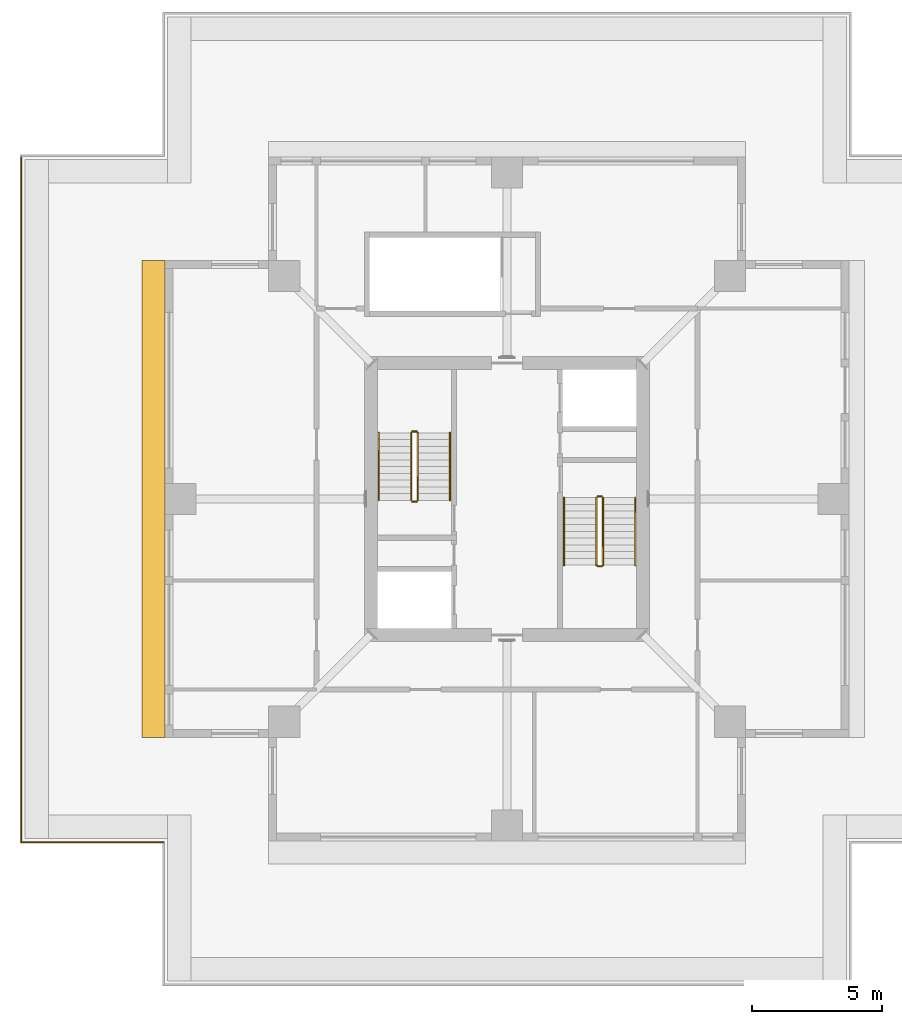
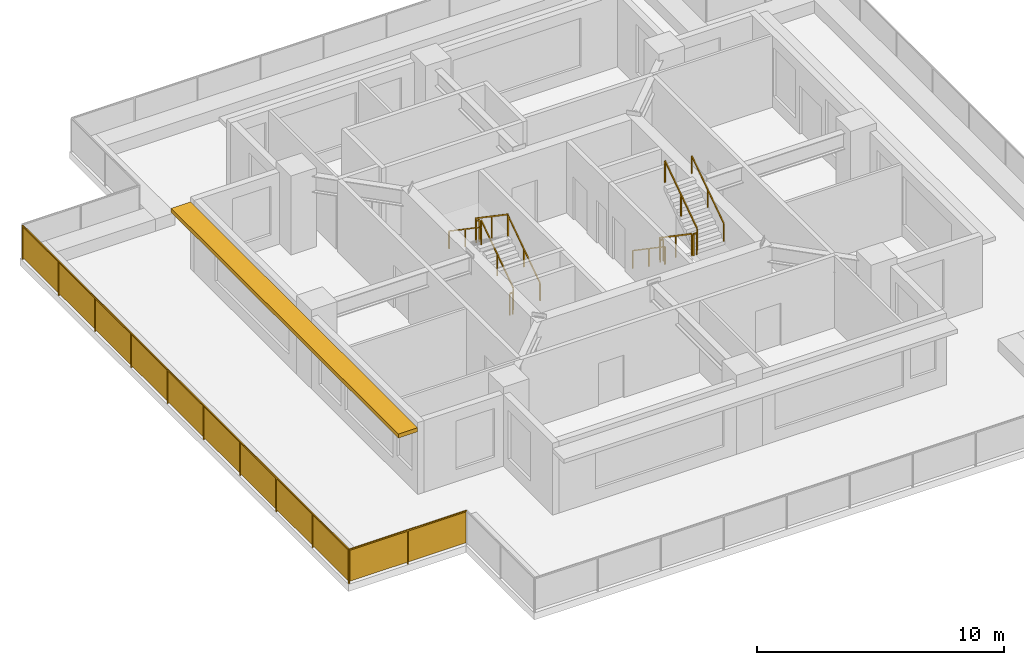
# One storey, part 7 of 8: 13 railings, 1 shading device.
"""IFC4 building model written with IfcOpenShell, lengths in metres."""

from ifc_helpers import new_model, si_unit, direction, frame, origin, origin_2d, place, context, subcontext, project, spatial, polyline, rectangle, outline, extrude, material, layer, layer_set, type_object, element, save


model = new_model("IFC4")

# Units and contexts
model_context = context("Model", 3, precision=1e-05, world=origin(), true_north=direction((0.0, 1.0)))
body_context = subcontext(model_context, "Body", "Model", "MODEL_VIEW")
ifc_project = project(units=[si_unit("LENGTHUNIT", "METRE"), si_unit("AREAUNIT", "SQUARE_METRE"), si_unit("VOLUMEUNIT", "CUBIC_METRE"), si_unit("PLANEANGLEUNIT", "RADIAN"), si_unit("MASSUNIT", "GRAM", prefix="KILO")], contexts=[model_context])

# Site, building, storey
site_placement = place(None, origin())
site = spatial("IfcSite", under=ifc_project, at=site_placement, CompositionType="ELEMENT")
building_placement = place(site_placement, origin())
building = spatial("IfcBuilding", under=site, at=building_placement, Name="Khepri Terraces", CompositionType="ELEMENT")
storey_placement = place(building_placement, frame((0.0, 0.0, 312.300048828125)))
storey = spatial("IfcBuildingStorey", under=building, at=storey_placement, Name="L75", CompositionType="ELEMENT", Elevation=312.300048828125)

# Railings
ifc_material_1 = material(Name="Stainless steel grade 316", Category="steel")
railing_type_1 = type_object("IfcRailingType", Name="GRD-TERR-1700", PredefinedType="GUARDRAIL", material=ifc_material_1)
railing_1_placement = place(storey_placement, frame((-13.25, -13.25, 0.0)))
element("IfcRailing", 1, at=railing_1_placement, inside=storey, type_object=railing_type_1, Name="Terrace guard L75", PredefinedType="GUARDRAIL", context=body_context, shape_type="SweptSolid", body=[
    extrude(rectangle(XDim=0.050048828125, YDim=0.06005859375, at=origin_2d()), frame((0.0, 0.0, 1.669921875), z_axis=(-1.0, 0.0, 0.0), x_axis=(0.0, -1.0, 0.0)), (0.0, 0.0, 1.0), 5.5),
    extrude(rectangle(XDim=2.699951171875, YDim=0.011962890625, at=origin_2d()), frame((-1.375, 0.0, 0.10009765625), z_axis=(0.0, 0.0, 1.0), x_axis=(-1.0, 0.0, 0.0)), (0.0, 0.0, 1.0), 1.539794921875),
    extrude(rectangle(XDim=2.699951171875, YDim=0.011962890625, at=origin_2d()), frame((-4.125, 0.0, 0.10009765625), z_axis=(0.0, 0.0, 1.0), x_axis=(-1.0, 0.0, 0.0)), (0.0, 0.0, 1.0), 1.539794921875),
    extrude(rectangle(XDim=0.050048828125, YDim=0.06005859375, at=origin_2d()), frame((-5.5, 0.0, 1.669921875), z_axis=(0.0, 1.0, 0.0), x_axis=(-1.0, 0.0, 0.0)), (0.0, 0.0, 1.0), 26.419921875),
    extrude(rectangle(XDim=2.885498046875, YDim=0.011962890625, at=origin_2d()), frame((-5.5, 1.4677734375, 0.10009765625), z_axis=(0.0, 0.0, 1.0), x_axis=(0.0, 1.0, 0.0)), (0.0, 0.0, 1.0), 1.539794921875),
    extrude(rectangle(XDim=2.885498046875, YDim=0.011962890625, at=origin_2d()), frame((-5.5, 4.4033203125, 0.10009765625), z_axis=(0.0, 0.0, 1.0), x_axis=(0.0, 1.0, 0.0)), (0.0, 0.0, 1.0), 1.539794921875),
    extrude(rectangle(XDim=2.885498046875, YDim=0.011962890625, at=origin_2d()), frame((-5.5, 7.3388671875, 0.10009765625), z_axis=(0.0, 0.0, 1.0), x_axis=(0.0, 1.0, 0.0)), (0.0, 0.0, 1.0), 1.539794921875),
    extrude(rectangle(XDim=2.885498046875, YDim=0.011962890625, at=origin_2d()), frame((-5.5, 10.2744140625, 0.10009765625), z_axis=(0.0, 0.0, 1.0), x_axis=(0.0, 1.0, 0.0)), (0.0, 0.0, 1.0), 1.539794921875),
    extrude(rectangle(XDim=2.885498046875, YDim=0.011962890625, at=origin_2d()), frame((-5.5, 13.2099609375, 0.10009765625), z_axis=(0.0, 0.0, 1.0), x_axis=(0.0, 1.0, 0.0)), (0.0, 0.0, 1.0), 1.539794921875),
    extrude(rectangle(XDim=2.885498046875, YDim=0.011962890625, at=origin_2d()), frame((-5.5, 16.1455078125, 0.10009765625), z_axis=(0.0, 0.0, 1.0), x_axis=(0.0, 1.0, 0.0)), (0.0, 0.0, 1.0), 1.539794921875),
    extrude(rectangle(XDim=2.885498046875, YDim=0.011962890625, at=origin_2d()), frame((-5.5, 19.0810546875, 0.10009765625), z_axis=(0.0, 0.0, 1.0), x_axis=(0.0, 1.0, 0.0)), (0.0, 0.0, 1.0), 1.539794921875),
    extrude(rectangle(XDim=2.885498046875, YDim=0.011962890625, at=origin_2d()), frame((-5.5, 22.0166015625, 0.10009765625), z_axis=(0.0, 0.0, 1.0), x_axis=(0.0, 1.0, 0.0)), (0.0, 0.0, 1.0), 1.539794921875),
    extrude(rectangle(XDim=2.885498046875, YDim=0.011962890625, at=origin_2d()), frame((-5.5, 24.9521484375, 0.10009765625), z_axis=(0.0, 0.0, 1.0), x_axis=(0.0, 1.0, 0.0)), (0.0, 0.0, 1.0), 1.539794921875),
    extrude(rectangle(XDim=0.050048828125, YDim=0.050048828125, at=origin_2d()), frame((-2.75, 0.0, 0.0)), (0.0, 0.0, 1.0), 1.639892578125),
    extrude(rectangle(XDim=0.050048828125, YDim=0.050048828125, at=origin_2d()), frame((-5.5, 0.0, 0.0)), (0.0, 0.0, 1.0), 1.639892578125),
    extrude(rectangle(XDim=0.050048828125, YDim=0.050048828125, at=origin_2d()), frame((-5.5, 2.935546875, 0.0)), (0.0, 0.0, 1.0), 1.639892578125),
    extrude(rectangle(XDim=0.050048828125, YDim=0.050048828125, at=origin_2d()), frame((-5.5, 5.87109375, 0.0)), (0.0, 0.0, 1.0), 1.639892578125),
    extrude(rectangle(XDim=0.050048828125, YDim=0.050048828125, at=origin_2d()), frame((-5.5, 8.806640625, 0.0)), (0.0, 0.0, 1.0), 1.639892578125),
    extrude(rectangle(XDim=0.050048828125, YDim=0.050048828125, at=origin_2d()), frame((-5.5, 11.7421875, 0.0)), (0.0, 0.0, 1.0), 1.639892578125),
    extrude(rectangle(XDim=0.050048828125, YDim=0.050048828125, at=origin_2d()), frame((-5.5, 14.677734375, 0.0)), (0.0, 0.0, 1.0), 1.639892578125),
    extrude(rectangle(XDim=0.050048828125, YDim=0.050048828125, at=origin_2d()), frame((-5.5, 17.61328125, 0.0)), (0.0, 0.0, 1.0), 1.639892578125),
    extrude(rectangle(XDim=0.050048828125, YDim=0.050048828125, at=origin_2d()), frame((-5.5, 20.548828125, 0.0)), (0.0, 0.0, 1.0), 1.639892578125),
    extrude(rectangle(XDim=0.050048828125, YDim=0.050048828125, at=origin_2d()), frame((-5.5, 23.484375, 0.0)), (0.0, 0.0, 1.0), 1.639892578125),
    extrude(rectangle(XDim=0.050048828125, YDim=0.050048828125, at=origin_2d()), frame((-5.5, 26.419921875, 0.0)), (0.0, 0.0, 1.0), 1.639892578125),
])
ifc_material_2 = material(Name="Stainless steel 316", Category="steel")
railing_type_2 = type_object("IfcRailingType", Name="RL-CORE-GUARD", PredefinedType="GUARDRAIL", material=ifc_material_2)
railing_2_placement = place(storey_placement, frame((-3.449951171875, -0.050048828125, 0.17724609375)))
element("IfcRailing", 2, at=railing_2_placement, inside=storey, type_object=railing_type_2, Name="L75 ST-1 stair guard 1", PredefinedType="GUARDRAIL", context=body_context, shape_type="SweptSolid", body=[
    extrude(rectangle(XDim=0.050048828125, YDim=0.06005859375, at=origin_2d()), frame((0.0, 0.0, 1.070068359375), z_axis=(0.0, 0.826240473404, 0.563317565952), x_axis=(-1.0, 0.0, 0.0)), (0.0, 0.0, 1.0), 3.14697265625),
    extrude(rectangle(XDim=0.050048828125, YDim=0.050048828125, at=origin_2d()), origin(), (0.0, 0.0, 1.0), 1.0400390625),
    extrude(rectangle(XDim=0.050048828125, YDim=0.050048828125, at=origin_2d()), frame((0.0, 1.300048828125, 0.88623046875)), (0.0, 0.0, 1.0), 1.0400390625),
    extrude(rectangle(XDim=0.050048828125, YDim=0.050048828125, at=origin_2d()), frame((0.0, 2.60009765625, 1.772705078125)), (0.0, 0.0, 1.0), 1.0400390625),
])
railing_3_placement = place(storey_placement, frame((-3.5, 2.60009765625, 1.949951171875)))
element("IfcRailing", 3, at=railing_3_placement, inside=storey, type_object=railing_type_2, Name="L75 ST-1 stair guard 2", PredefinedType="GUARDRAIL", context=body_context, shape_type="SweptSolid", body=[
    extrude(rectangle(XDim=0.050048828125, YDim=0.06005859375, at=origin_2d()), frame((0.0, 0.0, 1.070068359375), z_axis=(-1.0, 0.0, 0.0), x_axis=(0.0, -1.0, 0.0)), (0.0, 0.0, 1.0), 0.14990234375),
    extrude(rectangle(XDim=0.050048828125, YDim=0.050048828125, at=origin_2d()), origin(), (0.0, 0.0, 1.0), 1.0400390625),
    extrude(rectangle(XDim=0.050048828125, YDim=0.050048828125, at=origin_2d()), frame((-0.14990234375, 0.0, 0.0)), (0.0, 0.0, 1.0), 1.0400390625),
])
railing_4_placement = place(storey_placement, frame((-3.699951171875, 2.550048828125, 2.127197265625)))
element("IfcRailing", 4, at=railing_4_placement, inside=storey, type_object=railing_type_2, Name="L75 ST-1 stair guard 3", PredefinedType="GUARDRAIL", context=body_context, shape_type="SweptSolid", body=[
    extrude(rectangle(XDim=0.050048828125, YDim=0.06005859375, at=origin_2d()), frame((0.0, 0.0, 1.070068359375), z_axis=(0.0, -0.826240473404, 0.563317565952), x_axis=(1.0, 0.0, 0.0)), (0.0, 0.0, 1.0), 3.14697265625),
    extrude(rectangle(XDim=0.050048828125, YDim=0.050048828125, at=origin_2d()), origin(), (0.0, 0.0, 1.0), 1.0400390625),
    extrude(rectangle(XDim=0.050048828125, YDim=0.050048828125, at=origin_2d()), frame((0.0, -1.300048828125, 0.88623046875)), (0.0, 0.0, 1.0), 1.0400390625),
    extrude(rectangle(XDim=0.050048828125, YDim=0.050048828125, at=origin_2d()), frame((0.0, -2.60009765625, 1.772705078125)), (0.0, 0.0, 1.0), 1.0400390625),
])
railing_5_placement = place(storey_placement, frame((-3.5, -0.10009765625, 0.0)))
element("IfcRailing", 5, at=railing_5_placement, inside=storey, type_object=railing_type_2, Name="L75 ST-1 stair guard 4", PredefinedType="GUARDRAIL", context=body_context, shape_type="SweptSolid", body=[
    extrude(rectangle(XDim=0.050048828125, YDim=0.06005859375, at=origin_2d()), frame((0.0, 0.0, 1.070068359375), z_axis=(-1.0, 0.0, 0.0), x_axis=(0.0, -1.0, 0.0)), (0.0, 0.0, 1.0), 0.14990234375),
    extrude(rectangle(XDim=0.050048828125, YDim=0.050048828125, at=origin_2d()), origin(), (0.0, 0.0, 1.0), 1.0400390625),
    extrude(rectangle(XDim=0.050048828125, YDim=0.050048828125, at=origin_2d()), frame((-0.14990234375, 0.0, 0.0)), (0.0, 0.0, 1.0), 1.0400390625),
])
railing_6_placement = place(storey_placement, frame((3.449951171875, 0.050048828125, 0.17724609375)))
element("IfcRailing", 6, at=railing_6_placement, inside=storey, type_object=railing_type_2, Name="L75 ST-2 stair guard 1", PredefinedType="GUARDRAIL", context=body_context, shape_type="SweptSolid", body=[
    extrude(rectangle(XDim=0.050048828125, YDim=0.06005859375, at=origin_2d()), frame((0.0, 0.0, 1.070068359375), z_axis=(0.0, -0.826240473404, 0.563317565952), x_axis=(1.0, 0.0, 0.0)), (0.0, 0.0, 1.0), 3.14697265625),
    extrude(rectangle(XDim=0.050048828125, YDim=0.050048828125, at=origin_2d()), origin(), (0.0, 0.0, 1.0), 1.0400390625),
    extrude(rectangle(XDim=0.050048828125, YDim=0.050048828125, at=origin_2d()), frame((0.0, -1.300048828125, 0.88623046875)), (0.0, 0.0, 1.0), 1.0400390625),
    extrude(rectangle(XDim=0.050048828125, YDim=0.050048828125, at=origin_2d()), frame((0.0, -2.60009765625, 1.772705078125)), (0.0, 0.0, 1.0), 1.0400390625),
])
railing_7_placement = place(storey_placement, frame((3.5, -2.60009765625, 1.949951171875)))
element("IfcRailing", 7, at=railing_7_placement, inside=storey, type_object=railing_type_2, Name="L75 ST-2 stair guard 2", PredefinedType="GUARDRAIL", context=body_context, shape_type="SweptSolid", body=[
    extrude(rectangle(XDim=0.050048828125, YDim=0.06005859375, at=origin_2d()), frame((0.0, 0.0, 1.070068359375), z_axis=(1.0, 0.0, 0.0), x_axis=(0.0, 1.0, 0.0)), (0.0, 0.0, 1.0), 0.14990234375),
    extrude(rectangle(XDim=0.050048828125, YDim=0.050048828125, at=origin_2d()), origin(), (0.0, 0.0, 1.0), 1.0400390625),
    extrude(rectangle(XDim=0.050048828125, YDim=0.050048828125, at=origin_2d()), frame((0.14990234375, 0.0, 0.0)), (0.0, 0.0, 1.0), 1.0400390625),
])
railing_8_placement = place(storey_placement, frame((3.699951171875, -2.550048828125, 2.127197265625)))
element("IfcRailing", 8, at=railing_8_placement, inside=storey, type_object=railing_type_2, Name="L75 ST-2 stair guard 3", PredefinedType="GUARDRAIL", context=body_context, shape_type="SweptSolid", body=[
    extrude(rectangle(XDim=0.050048828125, YDim=0.06005859375, at=origin_2d()), frame((0.0, 0.0, 1.070068359375), z_axis=(0.0, 0.826240473404, 0.563317565952), x_axis=(-1.0, 0.0, 0.0)), (0.0, 0.0, 1.0), 3.14697265625),
    extrude(rectangle(XDim=0.050048828125, YDim=0.050048828125, at=origin_2d()), origin(), (0.0, 0.0, 1.0), 1.0400390625),
    extrude(rectangle(XDim=0.050048828125, YDim=0.050048828125, at=origin_2d()), frame((0.0, 1.300048828125, 0.88623046875)), (0.0, 0.0, 1.0), 1.0400390625),
    extrude(rectangle(XDim=0.050048828125, YDim=0.050048828125, at=origin_2d()), frame((0.0, 2.60009765625, 1.772705078125)), (0.0, 0.0, 1.0), 1.0400390625),
])
railing_9_placement = place(storey_placement, frame((3.5, 0.10009765625, 0.0)))
element("IfcRailing", 9, at=railing_9_placement, inside=storey, type_object=railing_type_2, Name="L75 ST-2 stair guard 4", PredefinedType="GUARDRAIL", context=body_context, shape_type="SweptSolid", body=[
    extrude(rectangle(XDim=0.050048828125, YDim=0.06005859375, at=origin_2d()), frame((0.0, 0.0, 1.070068359375), z_axis=(1.0, 0.0, 0.0), x_axis=(0.0, 1.0, 0.0)), (0.0, 0.0, 1.0), 0.14990234375),
    extrude(rectangle(XDim=0.050048828125, YDim=0.050048828125, at=origin_2d()), origin(), (0.0, 0.0, 1.0), 1.0400390625),
    extrude(rectangle(XDim=0.050048828125, YDim=0.050048828125, at=origin_2d()), frame((0.14990234375, 0.0, 0.0)), (0.0, 0.0, 1.0), 1.0400390625),
])
railing_type_3 = type_object("IfcRailingType", Name="RL-CORE-HANDRAIL", PredefinedType="HANDRAIL", material=ifc_material_2)
railing_10_placement = place(storey_placement, frame((-2.199951171875, -0.050048828125, 0.17724609375)))
element("IfcRailing", 10, at=railing_10_placement, inside=storey, type_object=railing_type_3, Name="L75 ST-1 stair handrail 1", PredefinedType="HANDRAIL", context=body_context, shape_type="SweptSolid", body=[
    extrude(rectangle(XDim=0.050048828125, YDim=0.050048828125, at=origin_2d()), frame((0.0, 0.0, 0.875), z_axis=(0.0, 0.826240473404, 0.563317565952), x_axis=(-1.0, 0.0, 0.0)), (0.0, 0.0, 1.0), 3.14697265625),
    extrude(rectangle(XDim=0.050048828125, YDim=0.050048828125, at=origin_2d()), origin(), (0.0, 0.0, 1.0), 0.849853515625),
    extrude(rectangle(XDim=0.050048828125, YDim=0.050048828125, at=origin_2d()), frame((0.0, 1.300048828125, 0.88623046875)), (0.0, 0.0, 1.0), 0.849853515625),
    extrude(rectangle(XDim=0.050048828125, YDim=0.050048828125, at=origin_2d()), frame((0.0, 2.60009765625, 1.772705078125)), (0.0, 0.0, 1.0), 0.849853515625),
])
for number, where, name in (
    (11, (-4.949951171875, 2.550048828125, 2.127197265625), "L75 ST-1 stair handrail 2"),
    (12, (2.199951171875, 0.050048828125, 0.17724609375), "L75 ST-2 stair handrail 1"),
):
    element("IfcRailing", number, at=place(storey_placement, frame(where)), inside=storey, type_object=railing_type_3, Name=name, PredefinedType="HANDRAIL", context=body_context, shape_type="SweptSolid", body=[
        extrude(rectangle(XDim=0.050048828125, YDim=0.050048828125, at=origin_2d()), frame((0.0, 0.0, 0.875), z_axis=(0.0, -0.826240473404, 0.563317565952), x_axis=(1.0, 0.0, 0.0)), (0.0, 0.0, 1.0), 3.14697265625),
        extrude(rectangle(XDim=0.050048828125, YDim=0.050048828125, at=origin_2d()), origin(), (0.0, 0.0, 1.0), 0.849853515625),
        extrude(rectangle(XDim=0.050048828125, YDim=0.050048828125, at=origin_2d()), frame((0.0, -1.300048828125, 0.88623046875)), (0.0, 0.0, 1.0), 0.849853515625),
        extrude(rectangle(XDim=0.050048828125, YDim=0.050048828125, at=origin_2d()), frame((0.0, -2.60009765625, 1.772705078125)), (0.0, 0.0, 1.0), 0.849853515625),
    ])
railing_11_placement = place(storey_placement, frame((4.949951171875, -2.550048828125, 2.127197265625)))
element("IfcRailing", 13, at=railing_11_placement, inside=storey, type_object=railing_type_3, Name="L75 ST-2 stair handrail 2", PredefinedType="HANDRAIL", context=body_context, shape_type="SweptSolid", body=[
    extrude(rectangle(XDim=0.050048828125, YDim=0.050048828125, at=origin_2d()), frame((0.0, 0.0, 0.875), z_axis=(0.0, 0.826240473404, 0.563317565952), x_axis=(-1.0, 0.0, 0.0)), (0.0, 0.0, 1.0), 3.14697265625),
    extrude(rectangle(XDim=0.050048828125, YDim=0.050048828125, at=origin_2d()), origin(), (0.0, 0.0, 1.0), 0.849853515625),
    extrude(rectangle(XDim=0.050048828125, YDim=0.050048828125, at=origin_2d()), frame((0.0, 1.300048828125, 0.88623046875)), (0.0, 0.0, 1.0), 0.849853515625),
    extrude(rectangle(XDim=0.050048828125, YDim=0.050048828125, at=origin_2d()), frame((0.0, 2.60009765625, 1.772705078125)), (0.0, 0.0, 1.0), 0.849853515625),
])

# Shading device
ifc_material_3 = material(Name="Precast concrete C50/60 warm stone", Category="masonry")
ifc_layer = layer(ifc_material_3, 0.199951171875, Name="Precast concrete C50/60 warm stone", Category="masonry")
ifc_layer_set = layer_set([ifc_layer], Name="Precast concrete C50/60 warm stone")
shading_device_type = type_object("IfcShadingDeviceType", Name="SSH-BAND-STONE-200", PredefinedType="USERDEFINED", material=ifc_layer_set)
shading_device_placement = place(storey_placement, frame((0.0, 0.0, 3.099853515625)))
element("IfcShadingDevice", 14, at=shading_device_placement, inside=storey, type_object=shading_device_type, Name="Sunshade band L75 W", ObjectType="SUNSHADE", PredefinedType="USERDEFINED", context=body_context, shape_type="SweptSolid", body=[
    extrude(outline(polyline([(-13.199951171875, 9.199951171875), (-14.10009765625, 9.199951171875), (-14.10009765625, -9.199951171875), (-13.199951171875, -9.199951171875), (-13.199951171875, 9.199951171875)])), origin(), (0.0, 0.0, 1.0), 0.2001953125),
])

save(model, "model.ifc")
